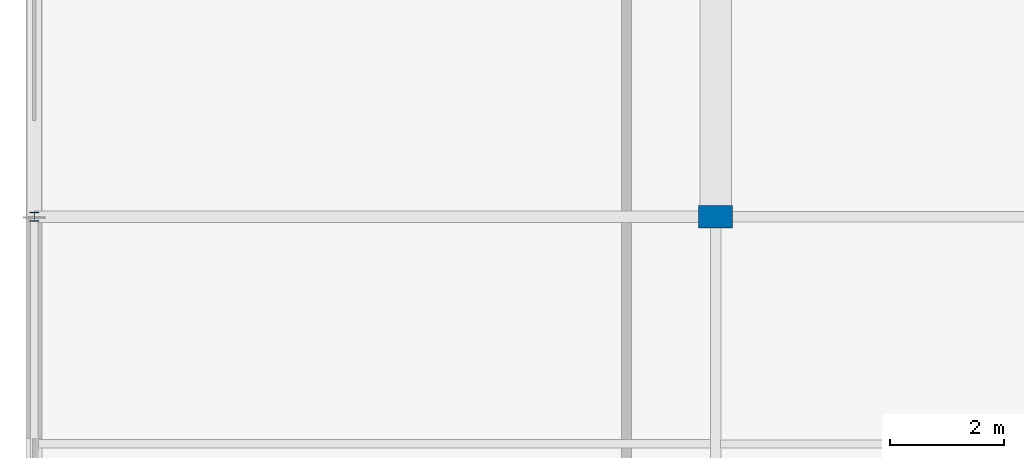
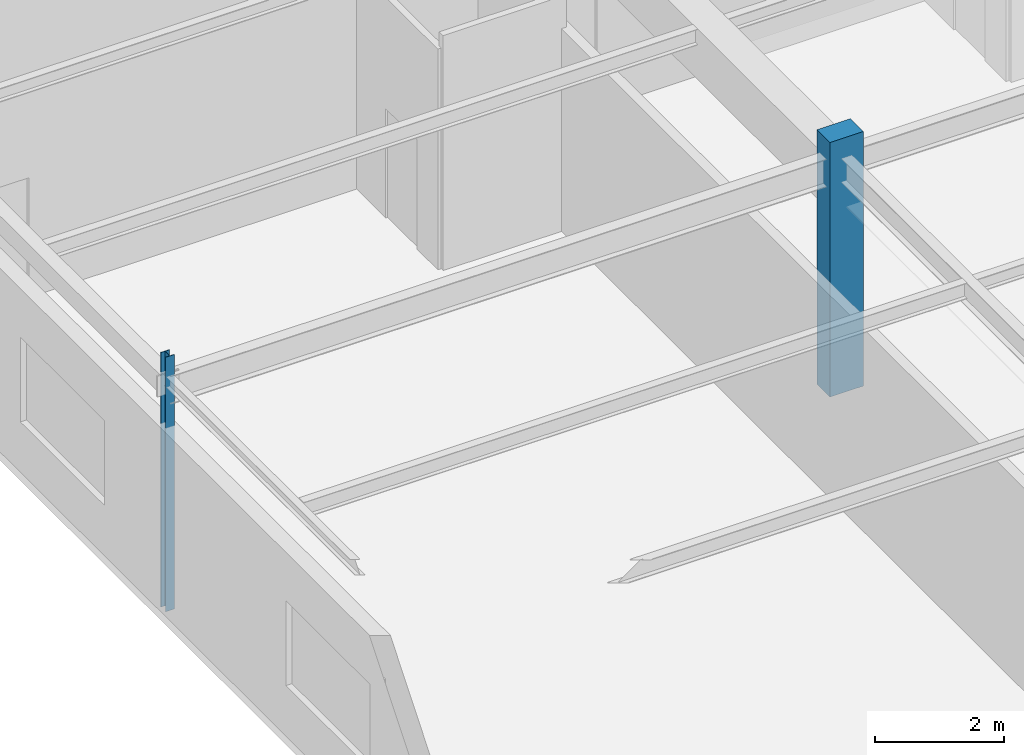
# One storey, part 16 of 226: 2 columns.
"""IFC4 building model written with IfcOpenShell, lengths in metres."""

from ifc_helpers import new_model, si_unit, direction, frame, origin, origin_2d, place, context, subcontext, project, spatial, rectangle, i_section, extrude, material, material_profile, profile_set, type_object, element, save


model = new_model("IFC4")

# Units and contexts
model_context = context("Model", 3, precision=1e-05, world=origin(), true_north=direction((0.0, 1.0)))
body_context = subcontext(model_context, "Body", "Model", "MODEL_VIEW")
ifc_project = project(units=[si_unit("LENGTHUNIT", "METRE"), si_unit("AREAUNIT", "SQUARE_METRE"), si_unit("VOLUMEUNIT", "CUBIC_METRE"), si_unit("PLANEANGLEUNIT", "RADIAN"), si_unit("MASSUNIT", "GRAM", prefix="KILO")], contexts=[model_context])

# Site, building, storey
site_placement = place(None, origin())
site = spatial("IfcSite", under=ifc_project, at=site_placement, CompositionType="ELEMENT")
building_placement = place(site_placement, origin())
building = spatial("IfcBuilding", under=site, at=building_placement, Name="Tarnwether General Hospital", CompositionType="ELEMENT")
storey_placement = place(building_placement, frame((0.0, 0.0, 4.800048828125)))
storey = spatial("IfcBuildingStorey", under=building, at=storey_placement, Name="L01", CompositionType="ELEMENT", Elevation=4.800048828125)

# Columns
ifc_material_1 = material(Name="Concrete 50 MPa", Category="concrete")
ifc_material_profile_1 = material_profile(ifc_material_1, rectangle(XDim=0.39990234375, YDim=0.60009765625, at=origin_2d()), Name="RC-PIL-400x600")
ifc_profile_set_1 = profile_set([ifc_material_profile_1], Name="Concrete 50 MPa")
column_type_1 = type_object("IfcColumnType", Name="COL-21", PredefinedType="PILASTER", material=ifc_profile_set_1)
column_1_placement = place(storey_placement, frame((12.0, 69.60009765625, 0.0), z_axis=(0.0, 0.0, 1.0), x_axis=(0.0, 1.0, 0.0)))
element("IfcColumn", 1, at=column_1_placement, inside=storey, type_object=column_type_1, Name="Column COLG-L01-1200_6960", PredefinedType="PILASTER", context=body_context, shape_type="SweptSolid", body=[
    extrude(rectangle(XDim=0.39990234375, YDim=0.60009765625, at=origin_2d()), origin(), (0.0, 0.0, 1.0), 4.800048828125),
])
ifc_material_2 = material(Name="Steel Grade 350 (350 MPa)", Category="steel")
ifc_material_profile_2 = material_profile(ifc_material_2, i_section(OverallWidth=0.153076171875, OverallDepth=0.157958984375, WebThickness=0.006591796875, FlangeThickness=0.009521484375, at=origin_2d()), Name="150UC30.0")
ifc_profile_set_2 = profile_set([ifc_material_profile_2], Name="Steel Grade 350 (350 MPa)")
column_type_2 = type_object("IfcColumnType", Name="COL-31", PredefinedType="COLUMN", material=ifc_profile_set_2)
column_2_placement = place(storey_placement, frame((0.0, 69.60009765625, 0.0), z_axis=(0.0, 0.0, 1.0), x_axis=(1.0, 0.0, 0.0)))
element("IfcColumn", 2, at=column_2_placement, inside=storey, type_object=column_type_2, Name="Column COLG-L01-0_6960", PredefinedType="COLUMN", context=body_context, shape_type="SweptSolid", body=[
    extrude(i_section(OverallWidth=0.153076171875, OverallDepth=0.157958984375, WebThickness=0.006591796875, FlangeThickness=0.009521484375, at=origin_2d()), origin(), (0.0, 0.0, 1.0), 4.800048828125),
])

save(model, "model.ifc")
